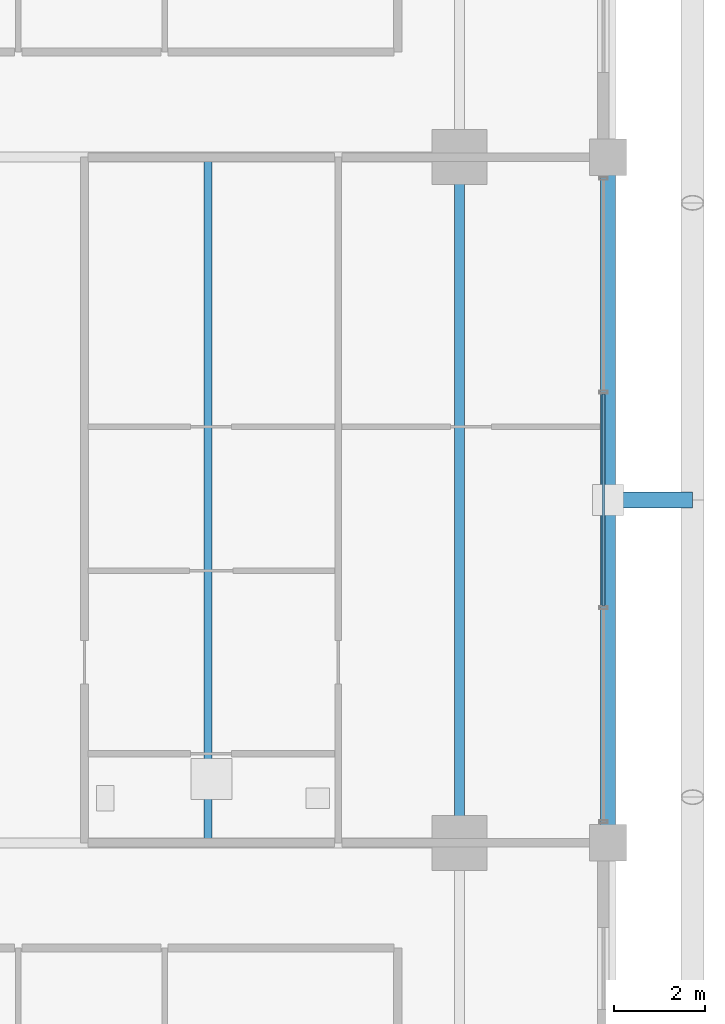
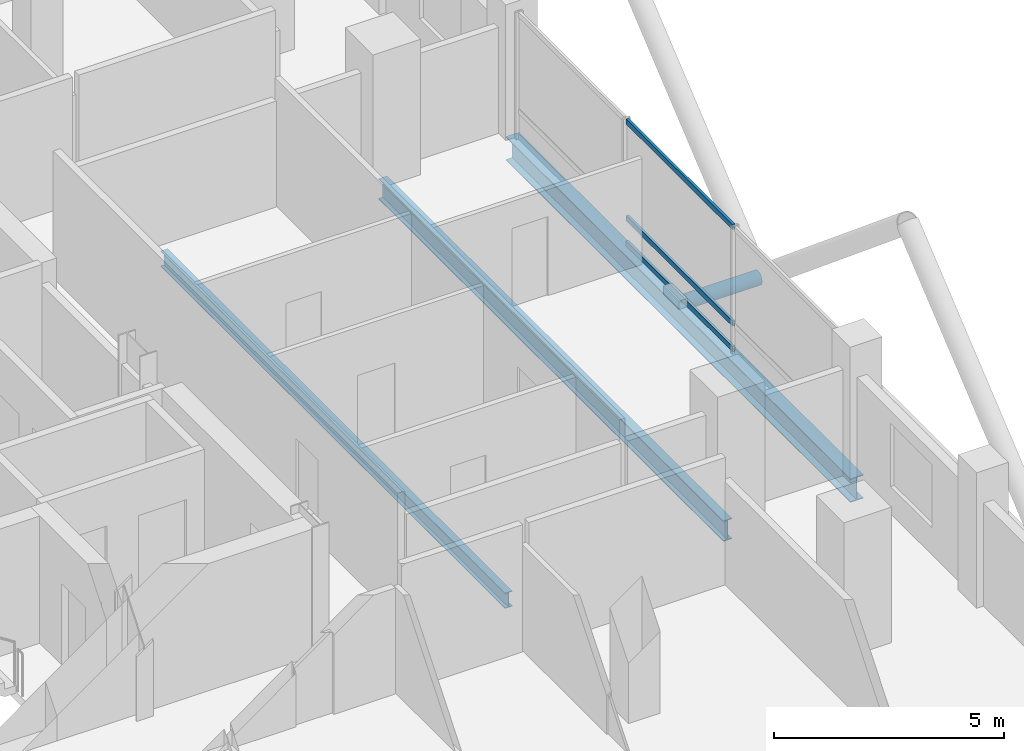
# One storey, part 10 of 25: 4 members, 3 beams, 1 element without a shape of its own.
"""IFC4 building model written with IfcOpenShell, lengths in metres."""

from ifc_helpers import new_model, si_unit, direction, frame, origin, origin_2d, place, context, subcontext, project, spatial, hollow_rectangle, hollow_circle, i_section, extrude, material, layer, layer_set, material_profile, profile_set, type_object, element, aggregate, save


model = new_model("IFC4")

# Units and contexts
model_context = context("Model", 3, precision=1e-05, world=origin(), true_north=direction((0.0, 1.0)))
body_context = subcontext(model_context, "Body", "Model", "MODEL_VIEW")
ifc_project = project(units=[si_unit("LENGTHUNIT", "METRE"), si_unit("AREAUNIT", "SQUARE_METRE"), si_unit("VOLUMEUNIT", "CUBIC_METRE"), si_unit("PLANEANGLEUNIT", "RADIAN"), si_unit("MASSUNIT", "GRAM", prefix="KILO")], contexts=[model_context])

# Site, building, storey
site_placement = place(None, origin())
site = spatial("IfcSite", under=ifc_project, at=site_placement, CompositionType="ELEMENT")
building_placement = place(site_placement, origin())
building = spatial("IfcBuilding", under=site, at=building_placement, Name="Barlavira Tower and Art Museum", CompositionType="ELEMENT")
storey_placement = place(building_placement, frame((0.0, 0.0, 144.0)))
storey = spatial("IfcBuildingStorey", under=building, at=storey_placement, Name="L36", CompositionType="ELEMENT", Elevation=144.0)

# Curtain wall, members
ifc_material_1 = material(Name="Low-iron coastal laminated glass", Category="glass")
ifc_layer = layer(ifc_material_1, 0.18994140625, Name="Low-iron coastal laminated glass")
ifc_layer_set = layer_set([ifc_layer], Name="Low-iron coastal laminated glass")
curtain_wall_type = type_object("IfcCurtainWallType", Name="Pale-Metal Unitised Curtain Wall Zone 2", PredefinedType="NOTDEFINED", material=ifc_layer_set)
curtain_wall_placement = place(storey_placement, origin())
curtain_wall = element("IfcCurtainWall", 1, at=curtain_wall_placement, inside=storey, type_object=curtain_wall_type, Name="L36 Curtain Wall CW2-L36-E-B3", PredefinedType="NOTDEFINED")
ifc_material_2 = material(Name="Pale anodised aluminium", Category="aluminium")
ifc_material_profile_1 = material_profile(ifc_material_2, hollow_rectangle(XDim=0.06494140625, YDim=0.139892578125, WallThickness=0.00390625, at=origin_2d()), Name="ALU-TRAN 65x140x4")
ifc_profile_set_1 = profile_set([ifc_material_profile_1], Name="Pale anodised aluminium")
member_type_1 = type_object("IfcMemberType", Name="Curtain Wall Pale-Metal Transom 65x140", PredefinedType="USERDEFINED", material=ifc_profile_set_1)
member_1_placement = place(storey_placement, frame((20.14990234375, -2.31494140625, 0.070068359375), z_axis=(0.0, 1.0, 0.0), x_axis=(-1.0, 0.0, 0.0)))
member_1 = element("IfcMember", 2, at=member_1_placement, type_object=member_type_1, Name="CW2-L36-E-B3 Transom 1.1", ObjectType="TRANSOM", PredefinedType="USERDEFINED", context=body_context, shape_type="SweptSolid", body=[
    extrude(hollow_rectangle(XDim=0.06494140625, YDim=0.139892578125, WallThickness=0.00390625, at=origin_2d()), origin(), (0.0, 0.0, 1.0), 4.6298828125),
])
member_2_placement = place(storey_placement, frame((20.14990234375, -2.31494140625, 0.743896484375), z_axis=(0.0, 1.0, 0.0), x_axis=(-1.0, 0.0, 0.0)))
member_2 = element("IfcMember", 3, at=member_2_placement, type_object=member_type_1, Name="CW2-L36-E-B3 Transom 1.2", ObjectType="TRANSOM", PredefinedType="USERDEFINED", context=body_context, shape_type="SweptSolid", body=[
    extrude(hollow_rectangle(XDim=0.06494140625, YDim=0.139892578125, WallThickness=0.00390625, at=origin_2d()), origin(), (0.0, 0.0, 1.0), 4.6298828125),
])
member_3_placement = place(storey_placement, frame((20.14990234375, -2.31494140625, 3.31005859375), z_axis=(0.0, 1.0, 0.0), x_axis=(-1.0, 0.0, 0.0)))
member_3 = element("IfcMember", 4, at=member_3_placement, type_object=member_type_1, Name="CW2-L36-E-B3 Transom 1.3", ObjectType="TRANSOM", PredefinedType="USERDEFINED", context=body_context, shape_type="SweptSolid", body=[
    extrude(hollow_rectangle(XDim=0.06494140625, YDim=0.139892578125, WallThickness=0.00390625, at=origin_2d()), origin(), (0.0, 0.0, 1.0), 4.6298828125),
])
aggregate(curtain_wall, [member_1, member_2, member_3])

# Member
ifc_material_3 = material(Name="Steel S355", Category="steel")
ifc_material_profile_2 = material_profile(ifc_material_3, hollow_circle(Radius=0.177734375, WallThickness=0.01611328125, at=origin_2d()), Name="CHS 355.6x16.0")
ifc_profile_set_2 = profile_set([ifc_material_profile_2], Name="Steel S355")
member_type_2 = type_object("IfcMemberType", Name="Pale-Metal Exoskeleton Tie Strut CHS 356x16 Steel S355", PredefinedType="STRUT", material=ifc_profile_set_2)
member_4_placement = place(storey_placement, frame((22.10009765625, 0.0, -0.1201171875), z_axis=(-1.0, 0.0, 0.0), x_axis=(0.0, -1.0, 0.0)))
element("IfcMember", 5, at=member_4_placement, inside=storey, type_object=member_type_2, Name="L36 Exoskeleton Tie Strut E2", PredefinedType="STRUT", context=body_context, shape_type="SweptSolid", body=[
    extrude(hollow_circle(Radius=0.177734375, WallThickness=0.01611328125, at=origin_2d()), origin(), (0.0, 0.0, 1.0), 1.85009765625),
])

# Beams
ifc_material_profile_3 = material_profile(ifc_material_3, i_section(OverallWidth=0.327880859375, OverallDepth=0.62890625, WebThickness=0.013916015625, FlangeThickness=0.021484375, at=origin_2d()), Name="W610x174.0")
ifc_profile_set_3 = profile_set([ifc_material_profile_3], Name="Steel S355")
beam_type_1 = type_object("IfcBeamType", Name="Perimeter Spandrel Edge Beam W610x174 Steel S355", PredefinedType="SPANDREL", material=ifc_profile_set_3)
beam_1_placement = place(storey_placement, frame((20.25, -7.5, -0.534423828125), z_axis=(0.0, 1.0, 0.0), x_axis=(-1.0, 0.0, 0.0)))
element("IfcBeam", 6, at=beam_1_placement, inside=storey, type_object=beam_type_1, Name="L36 Spandrel 6", PredefinedType="SPANDREL", context=body_context, shape_type="SweptSolid", body=[
    extrude(i_section(OverallWidth=0.327880859375, OverallDepth=0.62890625, WebThickness=0.013916015625, FlangeThickness=0.021484375, at=origin_2d()), origin(), (0.0, 0.0, 1.0), 15.0),
])
ifc_material_profile_4 = material_profile(ifc_material_3, i_section(OverallWidth=0.214111328125, OverallDepth=0.549072265625, WebThickness=0.0146484375, FlangeThickness=0.023681640625, at=origin_2d()), Name="W530x138.0")
ifc_profile_set_4 = profile_set([ifc_material_profile_4], Name="Steel S355")
beam_type_2 = type_object("IfcBeamType", Name="Zone 1 Primary Floor Girder W530x138 Steel S355", PredefinedType="BEAM", material=ifc_profile_set_4)
beam_2_placement = place(storey_placement, frame((17.0, -7.5, -0.494384765625), z_axis=(0.0, 1.0, 0.0), x_axis=(-1.0, 0.0, 0.0)))
element("IfcBeam", 7, at=beam_2_placement, inside=storey, type_object=beam_type_2, Name="L36 Girder M-E2", PredefinedType="BEAM", context=body_context, shape_type="SweptSolid", body=[
    extrude(i_section(OverallWidth=0.214111328125, OverallDepth=0.549072265625, WebThickness=0.0146484375, FlangeThickness=0.023681640625, at=origin_2d()), origin(), (0.0, 0.0, 1.0), 15.0),
])
ifc_material_profile_5 = material_profile(ifc_material_3, i_section(OverallWidth=0.179931640625, OverallDepth=0.4130859375, WebThickness=0.009765625, FlangeThickness=0.01611328125, at=origin_2d()), Name="W410x75.0")
ifc_profile_set_5 = profile_set([ifc_material_profile_5], Name="Steel S355")
beam_type_3 = type_object("IfcBeamType", Name="Zone 2 Composite Floor Joist W410x75 Steel S355", PredefinedType="JOIST", material=ifc_profile_set_5)
beam_3_placement = place(storey_placement, frame((11.5, -7.5, -0.426513671875), z_axis=(0.0, 1.0, 0.0), x_axis=(-1.0, 0.0, 0.0)))
element("IfcBeam", 8, at=beam_3_placement, inside=storey, type_object=beam_type_3, Name="L36 Joist W2", PredefinedType="JOIST", context=body_context, shape_type="SweptSolid", body=[
    extrude(i_section(OverallWidth=0.179931640625, OverallDepth=0.4130859375, WebThickness=0.009765625, FlangeThickness=0.01611328125, at=origin_2d()), origin(), (0.0, 0.0, 1.0), 15.0),
])

save(model, "model.ifc")
